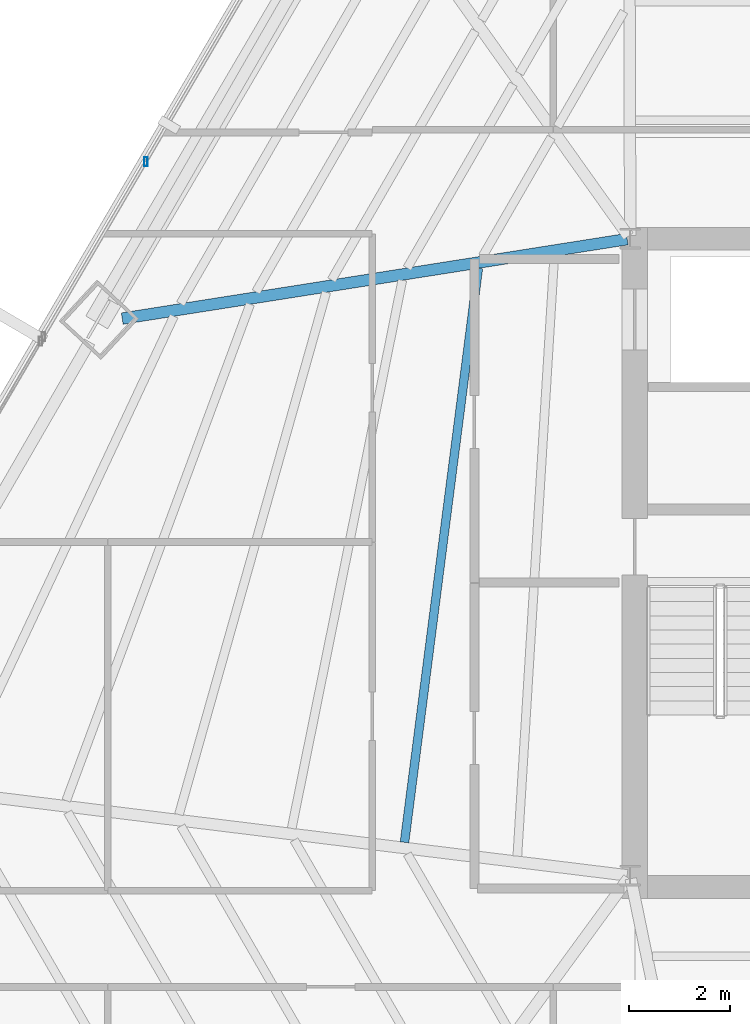
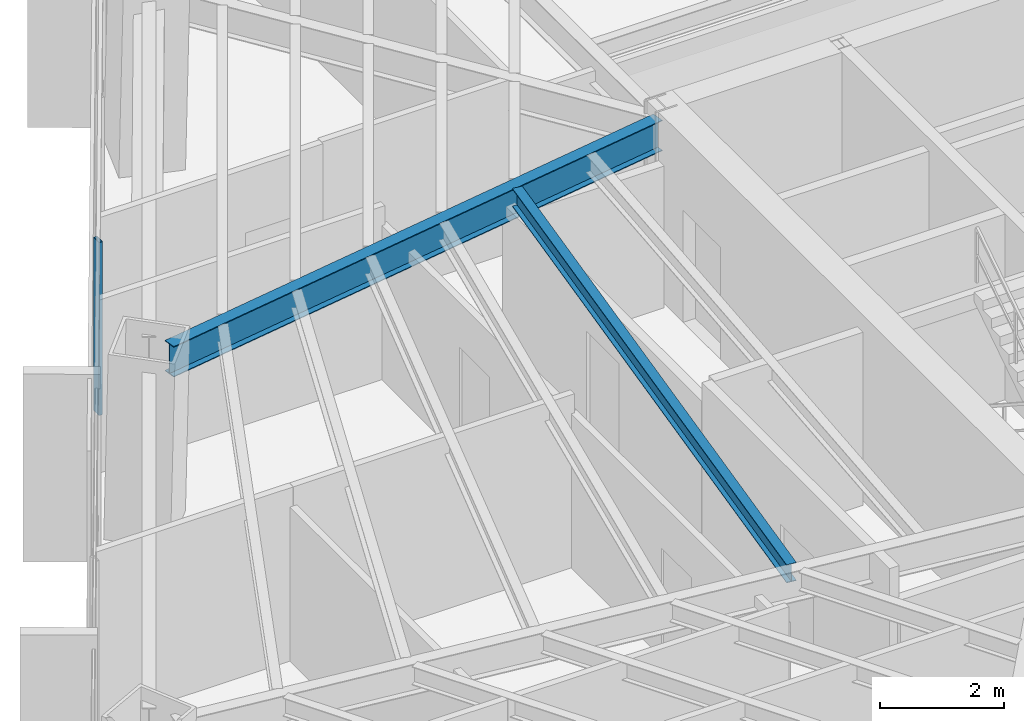
# One storey, part 13 of 35: 2 beams, 1 member, 1 element without a shape of its own.
"""IFC4 building model written with IfcOpenShell, lengths in metres."""

from ifc_helpers import new_model, si_unit, direction, frame, origin, origin_2d, place, context, subcontext, project, spatial, hollow_rectangle, i_section, extrude, source, transform, mapped, material, material_profile, profile_set, type_object, type_shapes, element, aggregate, save


model = new_model("IFC4")

# Units and contexts
model_context = context("Model", 3, precision=1e-05, world=origin(), true_north=direction((0.0, 1.0)))
body_context = subcontext(model_context, "Body", "Model", "MODEL_VIEW")
ifc_project = project(units=[si_unit("LENGTHUNIT", "METRE"), si_unit("AREAUNIT", "SQUARE_METRE"), si_unit("VOLUMEUNIT", "CUBIC_METRE"), si_unit("PLANEANGLEUNIT", "RADIAN"), si_unit("MASSUNIT", "GRAM", prefix="KILO")], contexts=[model_context])

# Site, building, storey
site_placement = place(None, origin())
site = spatial("IfcSite", under=ifc_project, at=site_placement, CompositionType="ELEMENT")
building_placement = place(site_placement, origin())
building = spatial("IfcBuilding", under=site, at=building_placement, Name="Caelisora Broadcast Tower", CompositionType="ELEMENT")
storey_placement = place(building_placement, frame((0.0, 0.0, 98.10009765625)))
storey = spatial("IfcBuildingStorey", under=building, at=storey_placement, Name="L25", CompositionType="ELEMENT", Elevation=98.10009765625)

# Beams
ifc_material_1 = material(Name="Steel Grade 350 (AS/NZS 3679.1)", Category="steel")
ifc_material_profile_1 = material_profile(ifc_material_1, i_section(OverallWidth=0.22802734375, OverallDepth=0.602294921875, WebThickness=0.010498046875, FlangeThickness=0.014892578125, at=origin_2d()), Name="Steel Grade 350 (AS/NZS 3679.1)")
ifc_profile_set_1 = profile_set([ifc_material_profile_1], Name="Steel Grade 350 (AS/NZS 3679.1)")
beam_type_1 = type_object("IfcBeamType", Name="PG04", PredefinedType="BEAM", material=ifc_profile_set_1)
shared_shape_1 = source(origin(), body_context, "Body", "SweptSolid", [
    extrude(i_section(OverallWidth=0.22802734375, OverallDepth=0.602294921875, WebThickness=0.010498046875, FlangeThickness=0.014892578125, at=origin_2d()), origin(), (0.0, 0.0, 1.0), 10.109619140625),
])
type_shapes(beam_type_1, [shared_shape_1])
beam_1_placement = place(storey_placement, frame((30.440673828125, 29.99072265625, 3.098876953125), z_axis=(-0.987836088226, -0.155498754971, 0.0), x_axis=(0.155498754971, -0.987836088226, 0.0)))
element("IfcBeam", 1, at=beam_1_placement, inside=storey, type_object=beam_type_1, Name="L25 beam PG04", PredefinedType="BEAM", context=body_context, shape_type="MappedRepresentation", body=[
    mapped(shared_shape_1, transform((0.0, 0.0, 0.0), scale=1.0)),
])
ifc_material_profile_2 = material_profile(ifc_material_1, i_section(OverallWidth=0.172119140625, OverallDepth=0.358642578125, WebThickness=0.008056640625, FlangeThickness=0.012939453125, at=origin_2d()), Name="Steel Grade 350 (AS/NZS 3679.1)")
ifc_profile_set_2 = profile_set([ifc_material_profile_2], Name="Steel Grade 350 (AS/NZS 3679.1)")
beam_type_2 = type_object("IfcBeamType", Name="SB02", PredefinedType="JOIST", material=ifc_profile_set_2)
shared_shape_2 = source(origin(), body_context, "Body", "SweptSolid", [
    extrude(i_section(OverallWidth=0.172119140625, OverallDepth=0.358642578125, WebThickness=0.008056640625, FlangeThickness=0.012939453125, at=origin_2d()), origin(), (0.0, 0.0, 1.0), 11.447021484375),
])
type_shapes(beam_type_2, [shared_shape_2])
beam_2_placement = place(storey_placement, frame((27.496337890625, 29.414794921875, 3.220703125), z_axis=(-0.127519944156, -0.991836006527, 0.0), x_axis=(0.991836006527, -0.127519944156, 0.0)))
element("IfcBeam", 2, at=beam_2_placement, inside=storey, type_object=beam_type_2, Name="L25 beam SB02", PredefinedType="JOIST", context=body_context, shape_type="MappedRepresentation", body=[
    mapped(shared_shape_2, transform((0.0, 0.0, 0.0), scale=1.0)),
])

# Curtain wall, member
ifc_material_2 = material(Name="Unitised Aluminium Insulated Shadow-Box Spandrel Curtain Wall", Category="aluminium")
curtain_wall_type = type_object("IfcCurtainWallType", Name="CW-SP1", PredefinedType="NOTDEFINED", material=ifc_material_2)
curtain_wall_placement = place(storey_placement, origin())
curtain_wall = element("IfcCurtainWall", 3, at=curtain_wall_placement, inside=storey, type_object=curtain_wall_type, Name="L25 curtain wall CW-SP1", PredefinedType="NOTDEFINED")
ifc_material_3 = material(Name="Aluminium 6063-T6 Anodised Terracotta Bronze", Category="aluminium")
ifc_material_profile_3 = material_profile(ifc_material_3, hollow_rectangle(XDim=0.06494140625, YDim=0.179931640625, WallThickness=0.00341796875, at=origin_2d()), Name="Aluminium 6063-T6 Anodised Terracotta Bronze")
ifc_profile_set_3 = profile_set([ifc_material_profile_3], Name="Aluminium 6063-T6 Anodised Terracotta Bronze")
member_type = type_object("IfcMemberType", Name="CWM-02", PredefinedType="MULLION", material=ifc_profile_set_3)
shared_shape_3 = source(origin(), body_context, "Body", "SweptSolid", [
    extrude(hollow_rectangle(XDim=0.06494140625, YDim=0.179931640625, WallThickness=0.00341796875, at=origin_2d()), origin(), (0.0, 0.0, 1.0), 3.39990234375),
])
type_shapes(member_type, [shared_shape_3])
member_placement = place(storey_placement, frame((20.92138671875, 31.522216796875, 0.0), z_axis=(0.0, 0.0, 1.0), x_axis=(1.0, 0.0, 0.0)))
member = element("IfcMember", 4, at=member_placement, type_object=member_type, Name="L25-CW-B10 mullion #1", PredefinedType="MULLION", context=body_context, shape_type="MappedRepresentation", body=[
    mapped(shared_shape_3, transform((0.0, 0.0, 0.0), scale=1.0)),
])
aggregate(curtain_wall, [member])

save(model, "model.ifc")
